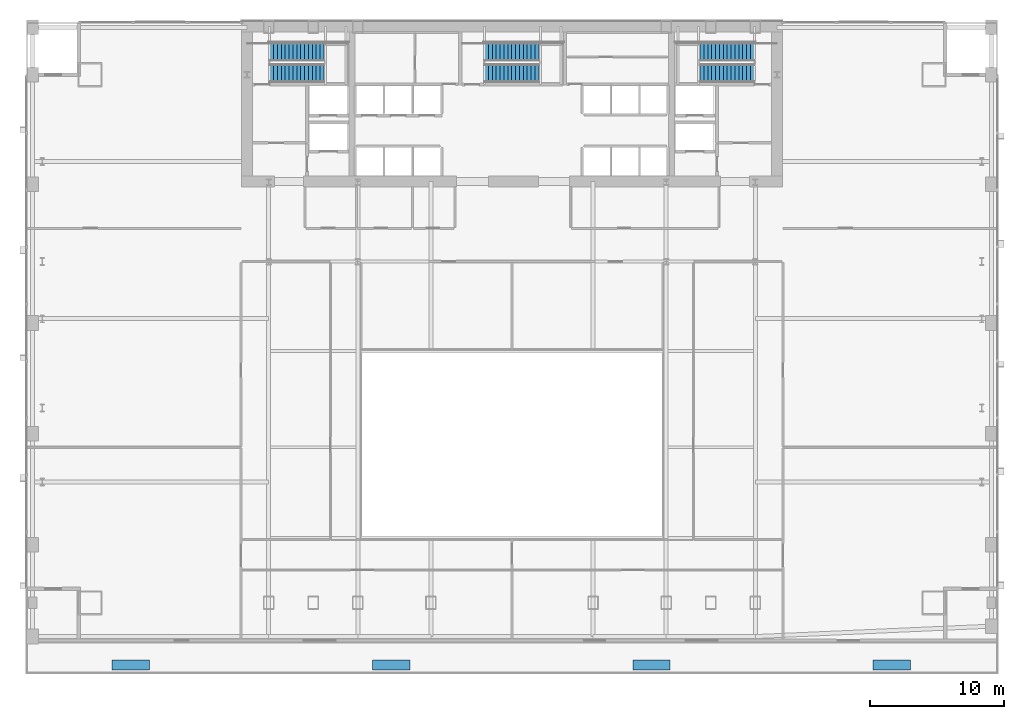
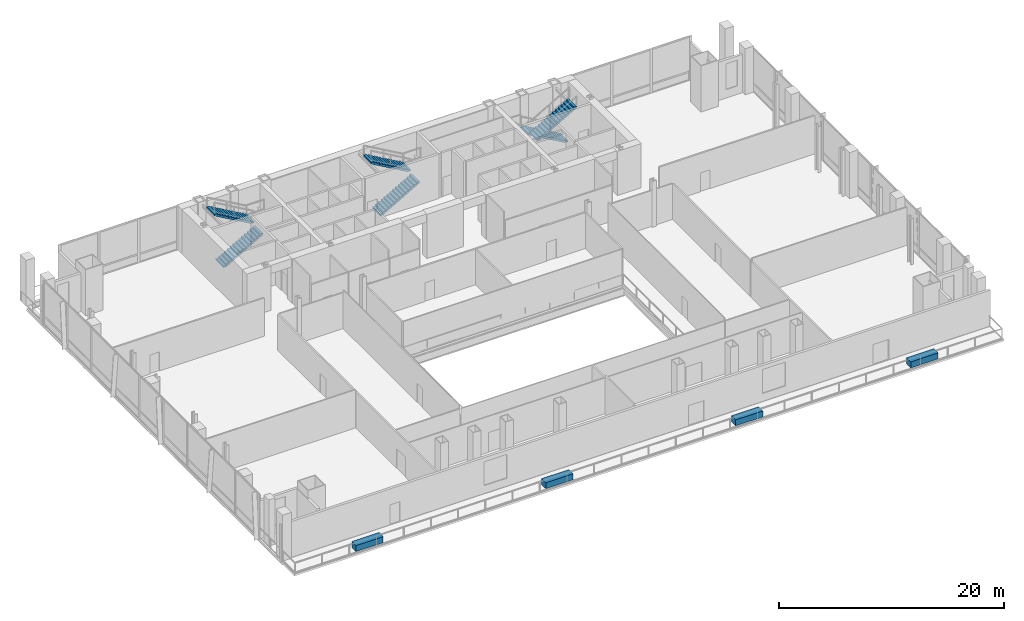
# One storey, part 23 of 26: 6 stair flights, 4 discrete accessories, 3 elements without a shape of their own.
"""IFC4 building model written with IfcOpenShell, lengths in metres."""

from ifc_helpers import new_model, si_unit, direction, frame, origin, place, context, subcontext, project, spatial, polyline, outline, extrude, material, type_object, element, aggregate, save


model = new_model("IFC4")

# Units and contexts
model_context = context("Model", 3, precision=1e-05, world=origin(), true_north=direction((0.0, 1.0)))
body_context = subcontext(model_context, "Body", "Model", "MODEL_VIEW")
ifc_project = project(units=[si_unit("LENGTHUNIT", "METRE"), si_unit("AREAUNIT", "SQUARE_METRE"), si_unit("VOLUMEUNIT", "CUBIC_METRE"), si_unit("PLANEANGLEUNIT", "RADIAN"), si_unit("MASSUNIT", "GRAM", prefix="KILO")], contexts=[model_context])

# Site, building, storey
site_placement = place(None, origin())
site = spatial("IfcSite", under=ifc_project, at=site_placement, CompositionType="ELEMENT")
building_placement = place(site_placement, origin())
building = spatial("IfcBuilding", under=site, at=building_placement, Name="Khoronbel Lancet Exchange", CompositionType="ELEMENT")
storey_placement = place(building_placement, frame((0.0, 0.0, 5.39990234375)))
storey = spatial("IfcBuildingStorey", under=building, at=storey_placement, Name="L01", CompositionType="ELEMENT", Elevation=5.39990234375)

# Stair, stair flights
ifc_material_1 = material(Name="Concrete C40/50", Category="concrete")
stair_type = type_object("IfcStairType", Name="STR-CORE150", PredefinedType="HALF_TURN_STAIR", material=ifc_material_1)
stair_1_placement = place(storey_placement, origin())
stair_1 = element("IfcStair", 1, at=stair_1_placement, inside=storey, type_object=stair_type, Name="L01 Protected Exit Stair ST1", PredefinedType="HALF_TURN_STAIR")
stair_flight_type = type_object("IfcStairFlightType", Name="STF-150", PredefinedType="STRAIGHT", material=ifc_material_1)
stair_flight_1_placement = place(storey_placement, frame((18.300048828125, 49.81005859375, 0.0), z_axis=(0.0, 0.0, 1.0), x_axis=(1.0, 0.0, 0.0)))
stair_flight_1 = element("IfcStairFlight", 2, at=stair_flight_1_placement, type_object=stair_flight_type, Name="ST1 flight 1", NumberOfRisers=15, NumberOfTreads=14, PredefinedType="STRAIGHT", RiserHeight=0.166666667, TreadLength=0.29, context=body_context, shape_type="SweptSolid", body=[
    extrude(outline(polyline([(0.0, 0.0), (0.0, 0.166748046875), (0.2900390625, 0.166748046875), (0.2900390625, 0.333251953125), (0.580078125, 0.333251953125), (0.580078125, 0.5), (0.8701171875, 0.5), (0.8701171875, 0.666748046875), (1.159912109375, 0.666748046875), (1.159912109375, 0.833251953125), (1.449951171875, 0.833251953125), (1.449951171875, 1.0), (1.739990234375, 1.0), (1.739990234375, 1.166748046875), (2.030029296875, 1.166748046875), (2.030029296875, 1.333251953125), (2.320068359375, 1.333251953125), (2.320068359375, 1.5), (2.610107421875, 1.5), (2.610107421875, 1.666748046875), (2.89990234375, 1.666748046875), (2.89990234375, 1.833251953125), (3.18994140625, 1.833251953125), (3.18994140625, 2.0), (3.47998046875, 2.0), (3.47998046875, 2.166748046875), (3.77001953125, 2.166748046875), (3.77001953125, 2.333251953125), (4.06005859375, 2.333251953125), (4.06005859375, 2.5), (4.06005859375, 2.160400390625), (0.30078125, 0.0), (0.0, 0.0)])), frame((0.0, 0.68994140625, 0.0), z_axis=(0.0, -1.0, 0.0), x_axis=(1.0, 0.0, 0.0)), (0.0, 0.0, 1.0), 1.3798828125),
])
stair_flight_2_placement = place(storey_placement, frame((22.360107421875, 51.409912109375, 2.5), z_axis=(0.0, 0.0, 1.0), x_axis=(-1.0, 0.0, 0.0)))
stair_flight_2 = element("IfcStairFlight", 3, at=stair_flight_2_placement, type_object=stair_flight_type, Name="ST1 flight 2", NumberOfRisers=15, NumberOfTreads=14, PredefinedType="STRAIGHT", RiserHeight=0.166666667, TreadLength=0.29, context=body_context, shape_type="SweptSolid", body=[
    extrude(outline(polyline([(0.0, 0.0), (0.0, 0.166748046875), (0.2900390625, 0.166748046875), (0.2900390625, 0.333251953125), (0.580078125, 0.333251953125), (0.580078125, 0.5), (0.8701171875, 0.5), (0.8701171875, 0.666748046875), (1.159912109375, 0.666748046875), (1.159912109375, 0.833251953125), (1.449951171875, 0.833251953125), (1.449951171875, 1.0), (1.739990234375, 1.0), (1.739990234375, 1.166748046875), (2.030029296875, 1.166748046875), (2.030029296875, 1.333251953125), (2.320068359375, 1.333251953125), (2.320068359375, 1.5), (2.610107421875, 1.5), (2.610107421875, 1.666748046875), (2.89990234375, 1.666748046875), (2.89990234375, 1.833251953125), (3.18994140625, 1.833251953125), (3.18994140625, 2.0), (3.47998046875, 2.0), (3.47998046875, 2.166748046875), (3.77001953125, 2.166748046875), (3.77001953125, 2.333251953125), (4.06005859375, 2.333251953125), (4.06005859375, 2.5), (4.06005859375, 2.160400390625), (0.30078125, 0.0), (0.0, 0.0)])), frame((0.0, 0.68994140625, 0.0), z_axis=(0.0, -1.0, 0.0), x_axis=(1.0, 0.0, 0.0)), (0.0, 0.0, 1.0), 1.3798828125),
])
aggregate(stair_1, [stair_flight_1, stair_flight_2])

stair_2_placement = place(storey_placement, origin())
stair_2 = element("IfcStair", 4, at=stair_2_placement, inside=storey, type_object=stair_type, Name="L01 Protected Exit Stair ST2", PredefinedType="HALF_TURN_STAIR")
stair_flight_3_placement = place(storey_placement, frame((54.60009765625, 51.409912109375, 0.0), z_axis=(0.0, 0.0, 1.0), x_axis=(-1.0, 0.0, 0.0)))
stair_flight_3 = element("IfcStairFlight", 5, at=stair_flight_3_placement, type_object=stair_flight_type, Name="ST2 flight 1", NumberOfRisers=15, NumberOfTreads=14, PredefinedType="STRAIGHT", RiserHeight=0.166666667, TreadLength=0.29, context=body_context, shape_type="SweptSolid", body=[
    extrude(outline(polyline([(0.0, 0.0), (0.0, 0.166748046875), (0.2900390625, 0.166748046875), (0.2900390625, 0.333251953125), (0.580078125, 0.333251953125), (0.580078125, 0.5), (0.8701171875, 0.5), (0.8701171875, 0.666748046875), (1.159912109375, 0.666748046875), (1.159912109375, 0.833251953125), (1.449951171875, 0.833251953125), (1.449951171875, 1.0), (1.739990234375, 1.0), (1.739990234375, 1.166748046875), (2.030029296875, 1.166748046875), (2.030029296875, 1.333251953125), (2.320068359375, 1.333251953125), (2.320068359375, 1.5), (2.610107421875, 1.5), (2.610107421875, 1.666748046875), (2.89990234375, 1.666748046875), (2.89990234375, 1.833251953125), (3.18994140625, 1.833251953125), (3.18994140625, 2.0), (3.47998046875, 2.0), (3.47998046875, 2.166748046875), (3.77001953125, 2.166748046875), (3.77001953125, 2.333251953125), (4.06005859375, 2.333251953125), (4.06005859375, 2.5), (4.06005859375, 2.160400390625), (0.30078125, 0.0), (0.0, 0.0)])), frame((0.0, 0.68994140625, 0.0), z_axis=(0.0, -1.0, 0.0), x_axis=(1.0, 0.0, 0.0)), (0.0, 0.0, 1.0), 1.3798828125),
])
stair_flight_4_placement = place(storey_placement, frame((50.5400390625, 49.81005859375, 2.5), z_axis=(0.0, 0.0, 1.0), x_axis=(1.0, 0.0, 0.0)))
stair_flight_4 = element("IfcStairFlight", 6, at=stair_flight_4_placement, type_object=stair_flight_type, Name="ST2 flight 2", NumberOfRisers=15, NumberOfTreads=14, PredefinedType="STRAIGHT", RiserHeight=0.166666667, TreadLength=0.29, context=body_context, shape_type="SweptSolid", body=[
    extrude(outline(polyline([(0.0, 0.0), (0.0, 0.166748046875), (0.2900390625, 0.166748046875), (0.2900390625, 0.333251953125), (0.580078125, 0.333251953125), (0.580078125, 0.5), (0.8701171875, 0.5), (0.8701171875, 0.666748046875), (1.159912109375, 0.666748046875), (1.159912109375, 0.833251953125), (1.449951171875, 0.833251953125), (1.449951171875, 1.0), (1.739990234375, 1.0), (1.739990234375, 1.166748046875), (2.030029296875, 1.166748046875), (2.030029296875, 1.333251953125), (2.320068359375, 1.333251953125), (2.320068359375, 1.5), (2.610107421875, 1.5), (2.610107421875, 1.666748046875), (2.89990234375, 1.666748046875), (2.89990234375, 1.833251953125), (3.18994140625, 1.833251953125), (3.18994140625, 2.0), (3.47998046875, 2.0), (3.47998046875, 2.166748046875), (3.77001953125, 2.166748046875), (3.77001953125, 2.333251953125), (4.06005859375, 2.333251953125), (4.06005859375, 2.5), (4.06005859375, 2.160400390625), (0.30078125, 0.0), (0.0, 0.0)])), frame((0.0, 0.68994140625, 0.0), z_axis=(0.0, -1.0, 0.0), x_axis=(1.0, 0.0, 0.0)), (0.0, 0.0, 1.0), 1.3798828125),
])
aggregate(stair_2, [stair_flight_3, stair_flight_4])

stair_3_placement = place(storey_placement, origin())
stair_3 = element("IfcStair", 7, at=stair_3_placement, inside=storey, type_object=stair_type, Name="L01 Protected Exit Stair ST3", PredefinedType="HALF_TURN_STAIR")
stair_flight_5_placement = place(storey_placement, frame((34.39990234375, 49.81005859375, 0.0), z_axis=(0.0, 0.0, 1.0), x_axis=(1.0, 0.0, 0.0)))
stair_flight_5 = element("IfcStairFlight", 8, at=stair_flight_5_placement, type_object=stair_flight_type, Name="ST3 flight 1", NumberOfRisers=15, NumberOfTreads=14, PredefinedType="STRAIGHT", RiserHeight=0.166666667, TreadLength=0.29, context=body_context, shape_type="SweptSolid", body=[
    extrude(outline(polyline([(0.0, 0.0), (0.0, 0.166748046875), (0.2900390625, 0.166748046875), (0.2900390625, 0.333251953125), (0.580078125, 0.333251953125), (0.580078125, 0.5), (0.8701171875, 0.5), (0.8701171875, 0.666748046875), (1.159912109375, 0.666748046875), (1.159912109375, 0.833251953125), (1.449951171875, 0.833251953125), (1.449951171875, 1.0), (1.739990234375, 1.0), (1.739990234375, 1.166748046875), (2.030029296875, 1.166748046875), (2.030029296875, 1.333251953125), (2.320068359375, 1.333251953125), (2.320068359375, 1.5), (2.610107421875, 1.5), (2.610107421875, 1.666748046875), (2.89990234375, 1.666748046875), (2.89990234375, 1.833251953125), (3.18994140625, 1.833251953125), (3.18994140625, 2.0), (3.47998046875, 2.0), (3.47998046875, 2.166748046875), (3.77001953125, 2.166748046875), (3.77001953125, 2.333251953125), (4.06005859375, 2.333251953125), (4.06005859375, 2.5), (4.06005859375, 2.160400390625), (0.30078125, 0.0), (0.0, 0.0)])), frame((0.0, 0.68994140625, 0.0), z_axis=(0.0, -1.0, 0.0), x_axis=(1.0, 0.0, 0.0)), (0.0, 0.0, 1.0), 1.3798828125),
])
stair_flight_6_placement = place(storey_placement, frame((38.4599609375, 51.409912109375, 2.5), z_axis=(0.0, 0.0, 1.0), x_axis=(-1.0, 0.0, 0.0)))
stair_flight_6 = element("IfcStairFlight", 9, at=stair_flight_6_placement, type_object=stair_flight_type, Name="ST3 flight 2", NumberOfRisers=15, NumberOfTreads=14, PredefinedType="STRAIGHT", RiserHeight=0.166666667, TreadLength=0.29, context=body_context, shape_type="SweptSolid", body=[
    extrude(outline(polyline([(0.0, 0.0), (0.0, 0.166748046875), (0.2900390625, 0.166748046875), (0.2900390625, 0.333251953125), (0.580078125, 0.333251953125), (0.580078125, 0.5), (0.8701171875, 0.5), (0.8701171875, 0.666748046875), (1.159912109375, 0.666748046875), (1.159912109375, 0.833251953125), (1.449951171875, 0.833251953125), (1.449951171875, 1.0), (1.739990234375, 1.0), (1.739990234375, 1.166748046875), (2.030029296875, 1.166748046875), (2.030029296875, 1.333251953125), (2.320068359375, 1.333251953125), (2.320068359375, 1.5), (2.610107421875, 1.5), (2.610107421875, 1.666748046875), (2.89990234375, 1.666748046875), (2.89990234375, 1.833251953125), (3.18994140625, 1.833251953125), (3.18994140625, 2.0), (3.47998046875, 2.0), (3.47998046875, 2.166748046875), (3.77001953125, 2.166748046875), (3.77001953125, 2.333251953125), (4.06005859375, 2.333251953125), (4.06005859375, 2.5), (4.06005859375, 2.160400390625), (0.30078125, 0.0), (0.0, 0.0)])), frame((0.0, 0.68994140625, 0.0), z_axis=(0.0, -1.0, 0.0), x_axis=(1.0, 0.0, 0.0)), (0.0, 0.0, 1.0), 1.3798828125),
])
aggregate(stair_3, [stair_flight_5, stair_flight_6])

# Discrete accessories
ifc_material_2 = material(Name="Precast concrete C40/50", Category="concrete")
discrete_accessory_type = type_object("IfcDiscreteAccessoryType", Name="BLP-PLN1", PredefinedType="USERDEFINED", material=ifc_material_2)
discrete_accessory_1_placement = place(storey_placement, origin())
element("IfcDiscreteAccessory", 10, at=discrete_accessory_1_placement, inside=storey, type_object=discrete_accessory_type, Name="Level L01 irrigated terrace planter box 1", ObjectType="PLANTER", PredefinedType="USERDEFINED", context=body_context, shape_type="SweptSolid", body=[
    extrude(outline(polyline([(6.5, 5.10009765625), (9.300048828125, 5.10009765625), (9.300048828125, 5.85009765625), (6.5, 5.85009765625), (6.5, 5.10009765625)])), origin(), (0.0, 0.0, 1.0), 0.650146484375),
])
discrete_accessory_2_placement = place(storey_placement, origin())
element("IfcDiscreteAccessory", 11, at=discrete_accessory_2_placement, inside=storey, type_object=discrete_accessory_type, Name="Level L01 irrigated terrace planter box 2", ObjectType="PLANTER", PredefinedType="USERDEFINED", context=body_context, shape_type="SweptSolid", body=[
    extrude(outline(polyline([(26.0, 5.10009765625), (28.800048828125, 5.10009765625), (28.800048828125, 5.85009765625), (26.0, 5.85009765625), (26.0, 5.10009765625)])), origin(), (0.0, 0.0, 1.0), 0.650146484375),
])
discrete_accessory_3_placement = place(storey_placement, origin())
element("IfcDiscreteAccessory", 12, at=discrete_accessory_3_placement, inside=storey, type_object=discrete_accessory_type, Name="Level L01 irrigated terrace planter box 3", ObjectType="PLANTER", PredefinedType="USERDEFINED", context=body_context, shape_type="SweptSolid", body=[
    extrude(outline(polyline([(45.5, 5.10009765625), (48.300048828125, 5.10009765625), (48.300048828125, 5.85009765625), (45.5, 5.85009765625), (45.5, 5.10009765625)])), origin(), (0.0, 0.0, 1.0), 0.650146484375),
])
discrete_accessory_4_placement = place(storey_placement, origin())
element("IfcDiscreteAccessory", 13, at=discrete_accessory_4_placement, inside=storey, type_object=discrete_accessory_type, Name="Level L01 irrigated terrace planter box 4", ObjectType="PLANTER", PredefinedType="USERDEFINED", context=body_context, shape_type="SweptSolid", body=[
    extrude(outline(polyline([(63.5, 5.10009765625), (66.300048828125, 5.10009765625), (66.300048828125, 5.85009765625), (63.5, 5.85009765625), (63.5, 5.10009765625)])), origin(), (0.0, 0.0, 1.0), 0.650146484375),
])

save(model, "model.ifc")
